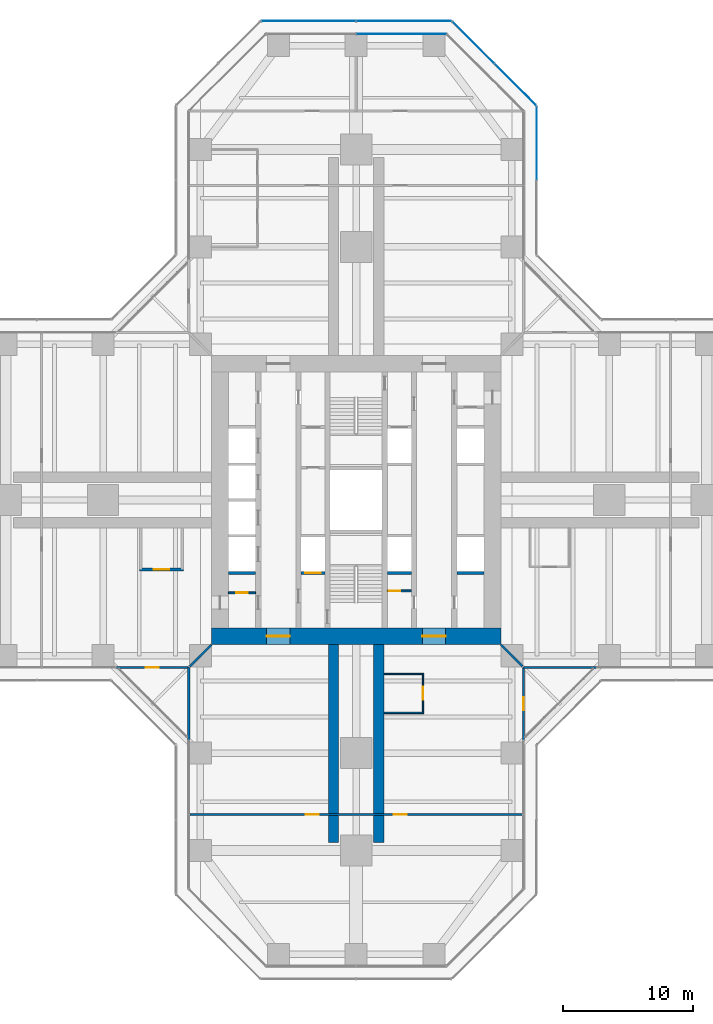
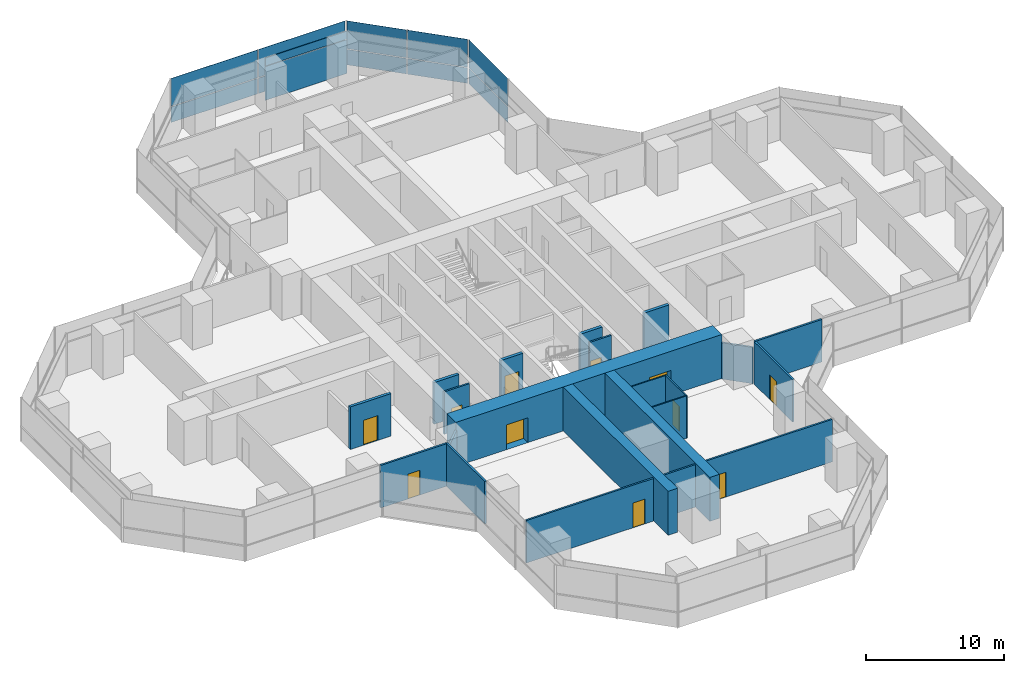
# One storey, part 17 of 22: 20 walls, 12 plates, 11 doors, 11 openings, 4 elements without a shape of their own.
"""IFC4 building model written with IfcOpenShell, lengths in metres."""

import ifcopenshell
import ifcopenshell.guid

model = None  # the IFC model being written
_history = None  # IfcOwnerHistory: only IFC2X3 demands one
_inside = {}  # id of a spatial element -> (the spatial element, [elements in it])
_under = {}  # id of a project, library or spatial element -> (it, [spatial elements below it])
_declared = {}  # id of a project -> (the project, [libraries it declares])
_typed = {}  # id of a type object -> (the type object, [elements of that type])
_made_of = {}  # id of a material, layer set ... -> (it, [elements and type objects made of it])


def new_model(schema):
    """Start an empty IFC model of exactly this schema.

    Asked for "IFC4X3", IfcOpenShell would pick the latest addendum, in which some entities
    have other attributes; the version numbers below select the first issue.
    IFC2X3 requires an IfcOwnerHistory on every rooted entity: one is made here for all.
    """
    global model, _history
    if schema == "IFC4X3":
        model = ifcopenshell.file(schema_version=(4, 3, 0, 0))
    else:
        model = ifcopenshell.file(schema=schema)
    _inside.clear()
    _under.clear()
    _declared.clear()
    _typed.clear()
    _made_of.clear()
    _history = None
    if model.schema == "IFC2X3":
        org = make("IfcOrganization", Name="unknown")
        user = make(
            "IfcPersonAndOrganization",
            ThePerson=make("IfcPerson", FamilyName="unknown"),
            TheOrganization=org,
        )
        app = make(
            "IfcApplication",
            ApplicationDeveloper=org,
            Version="unknown",
            ApplicationFullName="unknown",
            ApplicationIdentifier="unknown",
        )
        _history = make(
            "IfcOwnerHistory",
            OwningUser=user,
            OwningApplication=app,
            ChangeAction="ADDED",
            CreationDate=0,
        )
    return model


def make(cls, **values):
    """One entity of the class cls with the attributes given. An attribute that is None is left unset."""
    return model.create_entity(
        cls, **{name: value for name, value in values.items() if value is not None}
    )


def rooted(cls, **values):
    """An entity with a GlobalId (a new one), such as an element, a storey or a relation."""
    return make(cls, GlobalId=ifcopenshell.guid.new(), OwnerHistory=_history, **values)


def si_unit(unit_type, name, prefix=None):
    """IfcSIUnit, for example si_unit("LENGTHUNIT", "METRE", prefix="MILLI")."""
    return make("IfcSIUnit", UnitType=unit_type, Prefix=prefix, Name=name)


def assignment(units):
    """IfcUnitAssignment: the units of a project."""
    return None if units is None else make("IfcUnitAssignment", Units=units)


def point(xyz):
    """IfcCartesianPoint."""
    return None if xyz is None else make("IfcCartesianPoint", Coordinates=xyz)


def direction(xyz):
    """IfcDirection."""
    return None if xyz is None else make("IfcDirection", DirectionRatios=xyz)


def frame(location, z_axis=None, x_axis=None):
    """IfcAxis2Placement3D, a coordinate frame: its origin and axes. An axis left out is left unset."""
    return make(
        "IfcAxis2Placement3D",
        Location=point(location),
        Axis=direction(z_axis),
        RefDirection=direction(x_axis),
    )


def frame_2d(location, x_axis=None):
    """IfcAxis2Placement2D, a coordinate frame in the plane: its origin and x axis."""
    return make(
        "IfcAxis2Placement2D", Location=point(location), RefDirection=direction(x_axis)
    )


def origin():
    """The frame at (0, 0, 0) with its axes left unset."""
    return frame((0.0, 0.0, 0.0))


def origin_2d():
    """The frame at (0, 0) in the plane with its x axis left unset."""
    return frame_2d((0.0, 0.0))


def place(relative_to, where):
    """IfcLocalPlacement: puts the frame where relative to a parent placement (None: the world)."""
    return make(
        "IfcLocalPlacement", PlacementRelTo=relative_to, RelativePlacement=where
    )


def context(
    kind, dimensions, precision=None, world=None, true_north=None, identifier=None
):
    """IfcGeometricRepresentationContext, for example the 3D "Model" context."""
    return make(
        "IfcGeometricRepresentationContext",
        ContextIdentifier=identifier,
        ContextType=kind,
        CoordinateSpaceDimension=dimensions,
        Precision=precision,
        WorldCoordinateSystem=world,
        TrueNorth=true_north,
    )


def subcontext(parent, identifier, kind, view, scale=None):
    """IfcGeometricRepresentationSubContext, for example "Body" below "Model"."""
    return make(
        "IfcGeometricRepresentationSubContext",
        ContextIdentifier=identifier,
        ContextType=kind,
        ParentContext=parent,
        TargetScale=scale,
        TargetView=view,
    )


def project(units=None, contexts=None):
    """IfcProject with its units and contexts."""
    return rooted(
        "IfcProject",
        Name="project",
        RepresentationContexts=contexts,
        UnitsInContext=assignment(units),
    )


def spatial(cls, under=None, at=None, **own):
    """A site, building, storey or space (cls), placed at a placement, below another one or the project."""
    s = rooted(cls, ObjectPlacement=at, **own)
    if under is not None:
        _under.setdefault(under.id(), (under, []))[1].append(s)
    return s


def profile(cls, at=None, kind="AREA", **sizes):
    """A parametric profile (cls). Its sizes go by their IFC names, for example OverallWidth=200.0."""
    return make(cls, ProfileType=kind, Position=at, **sizes)


def rectangle(**sizes):
    """IfcRectangleProfileDef."""
    return profile("IfcRectangleProfileDef", **sizes)


def extrude(swept, where, along, depth):
    """IfcExtrudedAreaSolid: the profile swept, set in the frame where, extruded along a direction by depth."""
    return make(
        "IfcExtrudedAreaSolid",
        SweptArea=swept,
        Position=where,
        ExtrudedDirection=direction(along),
        Depth=depth,
    )


def shape(context_of_items, identifier, shape_type, items):
    """IfcShapeRepresentation: the items that make up one representation, for example the "Body"."""
    return make(
        "IfcShapeRepresentation",
        ContextOfItems=context_of_items,
        RepresentationIdentifier=identifier,
        RepresentationType=shape_type,
        Items=items,
    )


def material(Name=None, Category=None):
    """IfcMaterial."""
    return make("IfcMaterial", Name=Name, Category=Category)


def layer(
    of_material, thickness, ventilated=None, Name=None, Category=None, Priority=None
):
    """IfcMaterialLayer: one layer of a wall or slab, of a material (None: an air gap)."""
    return make(
        "IfcMaterialLayer",
        Material=of_material,
        LayerThickness=thickness,
        IsVentilated=ventilated,
        Name=Name,
        Category=Category,
        Priority=Priority,
    )


def layer_set(layers, Name=None):
    """IfcMaterialLayerSet."""
    return make("IfcMaterialLayerSet", MaterialLayers=layers, LayerSetName=Name)


def made_of(thing, what):
    """Note that an element or type object is made of a material, layer set ...; save() writes the relation."""
    if what is not None:
        _made_of.setdefault(what.id(), (what, []))[1].append(thing)
    return thing


def type_object(cls, material=None, **own):
    """A type object (cls), such as IfcWallType, which elements share."""
    return made_of(rooted(cls, **own), material)


def element(
    cls,
    number,
    at=None,
    inside=None,
    cuts=None,
    type_object=None,
    material=None,
    context=None,
    identifier="Body",
    shape_type=None,
    held_by="IfcProductDefinitionShape",
    body=None,
    shapes=None,
    **own,
):
    """One element of the class cls, such as IfcWall. Its Tag is "e" and its number.

    at: its placement. inside: the storey or other place that contains it. cuts: it is an
    opening in that element (IfcRelVoidsElement). A single representation is given by context,
    identifier, shape_type and body (its items); several are given by shapes. held_by: the class
    of the entity that holds the representations. save() writes the other relations.
    """
    e = rooted(cls, Tag="e%d" % number, ObjectPlacement=at, **own)
    if body is not None:
        shapes = [shape(context, identifier, shape_type, body)]
    if shapes is not None:
        e.Representation = make(held_by, Representations=shapes)
    if inside is not None:
        _inside.setdefault(inside.id(), (inside, []))[1].append(e)
    if cuts is not None:
        rooted(
            "IfcRelVoidsElement", RelatingBuildingElement=cuts, RelatedOpeningElement=e
        )
    if type_object is not None:
        _typed.setdefault(type_object.id(), (type_object, []))[1].append(e)
    return made_of(e, material)


def fill(opening, filler):
    """IfcRelFillsElement: the door or window that sits in an opening."""
    return rooted(
        "IfcRelFillsElement",
        RelatingOpeningElement=opening,
        RelatedBuildingElement=filler,
    )


def aggregate(whole, parts):
    """IfcRelAggregates: a whole, such as a stair, and the parts it consists of."""
    return rooted("IfcRelAggregates", RelatingObject=whole, RelatedObjects=parts)


def save(model, path):
    """Write the relations noted so far, then the file.

    IfcRelAggregates (storeys below a building ...), IfcRelContainedInSpatialStructure (elements
    in a storey), IfcRelDefinesByType, IfcRelAssociatesMaterial and IfcRelDeclares: one each for
    every whole, place, type object, material and project.
    """
    for whole, parts in _under.values():
        aggregate(whole, parts)
    for where, things in _inside.values():
        rooted(
            "IfcRelContainedInSpatialStructure",
            RelatedElements=things,
            RelatingStructure=where,
        )
    for kind, things in _typed.values():
        rooted("IfcRelDefinesByType", RelatedObjects=things, RelatingType=kind)
    for what, things in _made_of.values():
        rooted("IfcRelAssociatesMaterial", RelatedObjects=things, RelatingMaterial=what)
    for by, libraries in _declared.values():
        rooted("IfcRelDeclares", RelatingContext=by, RelatedDefinitions=libraries)
    model.write(path)


model = new_model("IFC4")

# Units and contexts
model_context = context("Model", 3, precision=1e-05, world=origin(), true_north=direction((0.0, 1.0)))
body_context = subcontext(model_context, "Body", "Model", "MODEL_VIEW")
ifc_project = project(units=[si_unit("LENGTHUNIT", "METRE"), si_unit("AREAUNIT", "SQUARE_METRE"), si_unit("VOLUMEUNIT", "CUBIC_METRE"), si_unit("PLANEANGLEUNIT", "RADIAN"), si_unit("MASSUNIT", "GRAM", prefix="KILO")], contexts=[model_context])

# Site, building, storey
site_placement = place(None, origin())
site = spatial("IfcSite", under=ifc_project, at=site_placement, CompositionType="ELEMENT")
building_placement = place(site_placement, origin())
building = spatial("IfcBuilding", under=site, at=building_placement, Name="Mizan Broadcast Tower", CompositionType="ELEMENT")
storey_placement = place(building_placement, frame((0.0, 0.0, 102.0)))
storey = spatial("IfcBuildingStorey", under=building, at=storey_placement, Name="L22", CompositionType="ELEMENT", Elevation=102.0)

# Curtain wall, plates
ifc_material_1 = material(Name="Aluminium framed glazing", Category="aluminium")
curtain_wall_type_1 = type_object("IfcCurtainWallType", Name="INNER SKIN LOW ZONE", PredefinedType="USERDEFINED", material=ifc_material_1)
curtain_wall_1_placement = place(storey_placement, origin())
curtain_wall_1 = element("IfcCurtainWall", 1, at=curtain_wall_1_placement, inside=storey, type_object=curtain_wall_type_1, Name="Inner skin low zone L22 N end", ObjectType="INNER SKIN LOW ZONE", PredefinedType="USERDEFINED")
ifc_material_2 = material(Name="Double glazing, clear low-e", Category="glass")
ifc_layer_1 = layer(ifc_material_2, 0.028076171875)
ifc_layer_set_1 = layer_set([ifc_layer_1], Name="Double glazing, clear low-e")
plate_type_1 = type_object("IfcPlateType", Name="INNER SKIN GLAZING UNIT", PredefinedType="CURTAIN_PANEL", material=ifc_layer_set_1)
plate_1_placement = place(storey_placement, frame((3.46435546875, 35.89990234375, 0.0), z_axis=(0.0, 0.0, 1.0), x_axis=(-1.0, 0.0, 0.0)))
plate_1 = element("IfcPlate", 2, at=plate_1_placement, type_object=plate_type_1, Name="Inner skin low zone L22 N end panel 1.1", PredefinedType="CURTAIN_PANEL", context=body_context, shape_type="SweptSolid", body=[
    extrude(rectangle(XDim=6.86865234375, YDim=0.028076171875, at=origin_2d()), origin(), (0.0, 0.0, 1.0), 3.0),
])
ifc_material_3 = material(Name="Insulated aluminium spandrel panel, pale anodised", Category="aluminium")
ifc_layer_2 = layer(ifc_material_3, 0.050048828125)
ifc_layer_set_2 = layer_set([ifc_layer_2], Name="Insulated aluminium spandrel panel, pale anodised")
plate_type_2 = type_object("IfcPlateType", Name="INNER SKIN SPANDREL PANEL", PredefinedType="CURTAIN_PANEL", material=ifc_layer_set_2)
plate_2_placement = place(storey_placement, frame((3.46435546875, 35.89990234375, 3.06005859375), z_axis=(0.0, 0.0, 1.0), x_axis=(-1.0, 0.0, 0.0)))
plate_2 = element("IfcPlate", 3, at=plate_2_placement, type_object=plate_type_2, Name="Inner skin low zone L22 N end panel 1.2", PredefinedType="CURTAIN_PANEL", context=body_context, shape_type="SweptSolid", body=[
    extrude(rectangle(XDim=6.86865234375, YDim=0.050048828125, at=origin_2d()), origin(), (0.0, 0.0, 1.0), 0.7099609375),
])
aggregate(curtain_wall_1, [plate_1, plate_2])

ifc_material_4 = material(Name="Aluminium framed glazing", Category="aluminium")
curtain_wall_type_2 = type_object("IfcCurtainWallType", Name="OUTER SKIN", PredefinedType="USERDEFINED", material=ifc_material_4)
curtain_wall_2_placement = place(storey_placement, origin())
curtain_wall_2 = element("IfcCurtainWall", 4, at=curtain_wall_2_placement, inside=storey, type_object=curtain_wall_type_2, Name="Outer skin L22 N chamfer", ObjectType="OUTER SKIN", PredefinedType="USERDEFINED")
ifc_material_5 = material(Name="Laminated clear glass", Category="glass")
ifc_layer_3 = layer(ifc_material_5, 0.02001953125)
ifc_layer_set_3 = layer_set([ifc_layer_3], Name="Laminated clear glass")
plate_type_3 = type_object("IfcPlateType", Name="OUTER SKIN CLEAR GLASS", PredefinedType="CURTAIN_PANEL", material=ifc_layer_set_3)
plate_3_placement = place(storey_placement, frame((12.254150390625, 32.018798828125, 0.0), z_axis=(0.0, 0.0, 1.0), x_axis=(-0.707106781187, 0.707106781187, 0.0)))
plate_3 = element("IfcPlate", 5, at=plate_3_placement, type_object=plate_type_3, Name="Outer skin L22 N chamfer panel 1.1", PredefinedType="CURTAIN_PANEL", context=body_context, shape_type="SweptSolid", body=[
    extrude(rectangle(XDim=4.495361328125, YDim=0.02001953125, at=origin_2d()), origin(), (0.0, 0.0, 1.0), 1.3701171875),
])
plate_4_placement = place(storey_placement, frame((12.254150390625, 32.018798828125, 1.43017578125), z_axis=(0.0, 0.0, 1.0), x_axis=(-0.707106781187, 0.707106781187, 0.0)))
plate_4 = element("IfcPlate", 6, at=plate_4_placement, type_object=plate_type_3, Name="Outer skin L22 N chamfer panel 1.2", PredefinedType="CURTAIN_PANEL", context=body_context, shape_type="SweptSolid", body=[
    extrude(rectangle(XDim=4.495361328125, YDim=0.02001953125, at=origin_2d()), origin(), (0.0, 0.0, 1.0), 2.469970703125),
])

curtain_wall_3_placement = place(storey_placement, origin())
curtain_wall_3 = element("IfcCurtainWall", 7, at=curtain_wall_3_placement, inside=storey, type_object=curtain_wall_type_2, Name="Outer skin L22 N end", ObjectType="OUTER SKIN", PredefinedType="USERDEFINED")
plate_5_placement = place(storey_placement, frame((3.66650390625, 36.89990234375, 0.0), z_axis=(0.0, 0.0, 1.0), x_axis=(-1.0, 0.0, 0.0)))
plate_5 = element("IfcPlate", 8, at=plate_5_placement, type_object=plate_type_3, Name="Outer skin L22 N end panel 1.1", PredefinedType="CURTAIN_PANEL", context=body_context, shape_type="SweptSolid", body=[
    extrude(rectangle(XDim=7.252685546875, YDim=0.02001953125, at=origin_2d()), origin(), (0.0, 0.0, 1.0), 1.3701171875),
])
plate_6_placement = place(storey_placement, frame((3.66650390625, 36.89990234375, 1.43017578125), z_axis=(0.0, 0.0, 1.0), x_axis=(-1.0, 0.0, 0.0)))
plate_6 = element("IfcPlate", 9, at=plate_6_placement, type_object=plate_type_3, Name="Outer skin L22 N end panel 1.2", PredefinedType="CURTAIN_PANEL", context=body_context, shape_type="SweptSolid", body=[
    extrude(rectangle(XDim=7.252685546875, YDim=0.02001953125, at=origin_2d()), origin(), (0.0, 0.0, 1.0), 2.469970703125),
])
plate_7_placement = place(storey_placement, frame((-3.66650390625, 36.89990234375, 0.0), z_axis=(0.0, 0.0, 1.0), x_axis=(-1.0, 0.0, 0.0)))
plate_7 = element("IfcPlate", 10, at=plate_7_placement, type_object=plate_type_3, Name="Outer skin L22 N end panel 2.1", PredefinedType="CURTAIN_PANEL", context=body_context, shape_type="SweptSolid", body=[
    extrude(rectangle(XDim=7.252685546875, YDim=0.02001953125, at=origin_2d()), origin(), (0.0, 0.0, 1.0), 1.3701171875),
])
plate_8_placement = place(storey_placement, frame((-3.66650390625, 36.89990234375, 1.43017578125), z_axis=(0.0, 0.0, 1.0), x_axis=(-1.0, 0.0, 0.0)))
plate_8 = element("IfcPlate", 11, at=plate_8_placement, type_object=plate_type_3, Name="Outer skin L22 N end panel 2.2", PredefinedType="CURTAIN_PANEL", context=body_context, shape_type="SweptSolid", body=[
    extrude(rectangle(XDim=7.252685546875, YDim=0.02001953125, at=origin_2d()), origin(), (0.0, 0.0, 1.0), 2.469970703125),
])
aggregate(curtain_wall_3, [plate_5, plate_6, plate_7, plate_8])

curtain_wall_4_placement = place(storey_placement, origin())
curtain_wall_4 = element("IfcCurtainWall", 12, at=curtain_wall_4_placement, inside=storey, type_object=curtain_wall_type_2, Name="Outer skin L22 N side", ObjectType="OUTER SKIN", PredefinedType="USERDEFINED")
ifc_material_6 = material(Name="Perforated aluminium, pale anodised", Category="aluminium")
ifc_layer_4 = layer(ifc_material_6, 0.011962890625)
ifc_layer_set_4 = layer_set([ifc_layer_4], Name="Perforated aluminium, pale anodised")
plate_type_4 = type_object("IfcPlateType", Name="OUTER SKIN PERFORATED SCREEN", PredefinedType="USERDEFINED", material=ifc_layer_set_4)
plate_9_placement = place(storey_placement, frame((13.89990234375, 27.477783203125, 0.0), z_axis=(0.0, 0.0, 1.0), x_axis=(0.0, 1.0, 0.0)))
plate_9 = element("IfcPlate", 13, at=plate_9_placement, type_object=plate_type_4, Name="Outer skin L22 N side panel 2.1", ObjectType="SCREEN", PredefinedType="USERDEFINED", context=body_context, shape_type="SweptSolid", body=[
    extrude(rectangle(XDim=5.6298828125, YDim=0.011962890625, at=origin_2d()), origin(), (0.0, 0.0, 1.0), 1.3701171875),
])
plate_10_placement = place(storey_placement, frame((13.89990234375, 27.477783203125, 1.43017578125), z_axis=(0.0, 0.0, 1.0), x_axis=(0.0, 1.0, 0.0)))
plate_10 = element("IfcPlate", 14, at=plate_10_placement, type_object=plate_type_4, Name="Outer skin L22 N side panel 2.2", ObjectType="SCREEN", PredefinedType="USERDEFINED", context=body_context, shape_type="SweptSolid", body=[
    extrude(rectangle(XDim=5.6298828125, YDim=0.011962890625, at=origin_2d()), origin(), (0.0, 0.0, 1.0), 2.469970703125),
])
aggregate(curtain_wall_4, [plate_9, plate_10])

# Plate
plate_11_placement = place(storey_placement, frame((9.018798828125, 35.254150390625, 0.0), z_axis=(0.0, 0.0, 1.0), x_axis=(-0.707106781187, 0.707106781187, 0.0)))
plate_11 = element("IfcPlate", 15, at=plate_11_placement, type_object=plate_type_4, Name="Outer skin L22 N chamfer panel 2.1", ObjectType="SCREEN", PredefinedType="USERDEFINED", context=body_context, shape_type="SweptSolid", body=[
    extrude(rectangle(XDim=4.495361328125, YDim=0.011962890625, at=origin_2d()), origin(), (0.0, 0.0, 1.0), 1.3701171875),
])

plate_12_placement = place(storey_placement, frame((9.018798828125, 35.254150390625, 1.43017578125), z_axis=(0.0, 0.0, 1.0), x_axis=(-0.707106781187, 0.707106781187, 0.0)))
plate_12 = element("IfcPlate", 16, at=plate_12_placement, type_object=plate_type_4, Name="Outer skin L22 N chamfer panel 2.2", ObjectType="SCREEN", PredefinedType="USERDEFINED", context=body_context, shape_type="SweptSolid", body=[
    extrude(rectangle(XDim=4.495361328125, YDim=0.011962890625, at=origin_2d()), origin(), (0.0, 0.0, 1.0), 2.469970703125),
])

aggregate(curtain_wall_2, [plate_3, plate_4, plate_11, plate_12])

# Wall, opening, door
ifc_material_7 = material(Name="Concrete blockwork", Category="masonry")
ifc_layer_5 = layer(ifc_material_7, 0.14990234375)
ifc_layer_set_5 = layer_set([ifc_layer_5], Name="Concrete blockwork")
wall_type_1 = type_object("IfcWallType", Name="CORE PARTITION 150", PredefinedType="SOLIDWALL", material=ifc_layer_set_5)
wall_1_placement = place(storey_placement, frame((2.39990234375, -7.0, 0.0), z_axis=(0.0, 0.0, 1.0), x_axis=(1.0, 0.0, 0.0)))
wall_1 = element("IfcWall", 17, at=wall_1_placement, inside=storey, type_object=wall_type_1, Name="Core partition CORE/XPC", PredefinedType="SOLIDWALL", context=body_context, shape_type="SweptSolid", body=[
    extrude(rectangle(XDim=1.85009765625, YDim=0.14990234375, at=frame_2d((0.925048828125, 0.0))), origin(), (0.0, 0.0, 1.0), 3.77001953125),
])
opening_1_placement = place(wall_1_placement, frame((0.10009765625, 0.0, 0.0)))
opening_1 = element("IfcOpeningElement", 18, at=opening_1_placement, cuts=wall_1, Name="Opening D09F", PredefinedType="OPENING", context=body_context, shape_type="SweptSolid", body=[
    extrude(rectangle(XDim=0.89990234375, YDim=2.10009765625, at=frame_2d((0.449951171875, 1.050048828125))), frame((0.0, 0.0849609375, 0.0), z_axis=(0.0, -1.0, 0.0), x_axis=(1.0, 0.0, 0.0)), (0.0, 0.0, 1.0), 0.169921875),
])
ifc_material_8 = material(Name="Steel door leaf in steel frame", Category="steel")
door_type_1 = type_object("IfcDoorType", Name="CORE ROOM DOOR 900 FD90", OperationType="SINGLE_SWING_LEFT", PredefinedType="DOOR", material=ifc_material_8)
door_1_placement = place(opening_1_placement, origin())
door_1 = element("IfcDoor", 19, at=door_1_placement, inside=storey, type_object=door_type_1, Name="Cleaning materials store door", OperationType="SINGLE_SWING_LEFT", OverallHeight=2.10009765625, OverallWidth=0.89990234375, PredefinedType="DOOR", context=body_context, shape_type="SweptSolid", body=[
    extrude(rectangle(XDim=0.89990234375, YDim=2.10009765625, at=frame_2d((0.449951171875, 1.050048828125))), frame((0.0, 0.02490234375, 0.0), z_axis=(0.0, -1.0, 0.0), x_axis=(1.0, 0.0, 0.0)), (0.0, 0.0, 1.0), 0.050048828125),
])
fill(opening_1, door_1)

wall_2_placement = place(storey_placement, frame((-9.85009765625, -7.14990234375, 0.0), z_axis=(0.0, 0.0, 1.0), x_axis=(1.0, 0.0, 0.0)))
wall_2 = element("IfcWall", 20, at=wall_2_placement, inside=storey, type_object=wall_type_1, Name="Core partition CORE/XPW", PredefinedType="SOLIDWALL", context=body_context, shape_type="SweptSolid", body=[
    extrude(rectangle(XDim=2.10009765625, YDim=0.14990234375, at=frame_2d((1.050048828125, 0.0))), origin(), (0.0, 0.0, 1.0), 3.77001953125),
])
opening_2_placement = place(wall_2_placement, frame((0.60009765625, 0.0, 0.0)))
opening_2 = element("IfcOpeningElement", 21, at=opening_2_placement, cuts=wall_2, Name="Opening D09F", PredefinedType="OPENING", context=body_context, shape_type="SweptSolid", body=[
    extrude(rectangle(XDim=0.89990234375, YDim=2.10009765625, at=frame_2d((0.449951171875, 1.050048828125))), frame((0.0, 0.0849609375, 0.0), z_axis=(0.0, -1.0, 0.0), x_axis=(1.0, 0.0, 0.0)), (0.0, 0.0, 1.0), 0.169921875),
])
door_2_placement = place(opening_2_placement, origin())
door_2 = element("IfcDoor", 22, at=door_2_placement, inside=storey, type_object=door_type_1, Name="Fire hose reel cupboard door", OperationType="SINGLE_SWING_RIGHT", OverallHeight=2.10009765625, OverallWidth=0.89990234375, PredefinedType="DOOR", context=body_context, shape_type="SweptSolid", body=[
    extrude(rectangle(XDim=0.89990234375, YDim=2.10009765625, at=frame_2d((0.449951171875, 1.050048828125))), frame((0.0, 0.02490234375, 0.0), z_axis=(0.0, -1.0, 0.0), x_axis=(1.0, 0.0, 0.0)), (0.0, 0.0, 1.0), 0.050048828125),
])
fill(opening_2, door_2)

# Wall, openings, doors
ifc_material_9 = material(Name="Concrete C70/85", Category="concrete")
ifc_layer_6 = layer(ifc_material_9, 1.300048828125)
ifc_layer_set_6 = layer_set([ifc_layer_6], Name="Concrete C70/85")
wall_type_2 = type_object("IfcWallType", Name="CORE WALL 1300", PredefinedType="SHEAR", material=ifc_layer_set_6)
wall_3_placement = place(storey_placement, frame((11.14990234375, -10.5, 0.0), z_axis=(0.0, 0.0, 1.0), x_axis=(-1.0, 0.0, 0.0)))
wall_3 = element("IfcWall", 23, at=wall_3_placement, inside=storey, type_object=wall_type_2, Name="Core wall S L22", PredefinedType="SHEAR", context=body_context, shape_type="SweptSolid", body=[
    extrude(rectangle(XDim=22.2998046875, YDim=1.300048828125, at=frame_2d((11.14990234375, 0.0))), origin(), (0.0, 0.0, 1.0), 3.89990234375),
])
opening_3_placement = place(wall_3_placement, frame((16.25, 0.0, 0.0)))
opening_3 = element("IfcOpeningElement", 24, at=opening_3_placement, cuts=wall_3, Name="Opening D18F", PredefinedType="OPENING", context=body_context, shape_type="SweptSolid", body=[
    extrude(rectangle(XDim=1.800048828125, YDim=2.199951171875, at=frame_2d((0.89990234375, 1.10009765625))), frame((0.0, 0.659912109375, 0.0), z_axis=(0.0, -1.0, 0.0), x_axis=(1.0, 0.0, 0.0)), (0.0, 0.0, 1.0), 1.320068359375),
])
opening_4_placement = place(wall_3_placement, frame((4.25, 0.0, 0.0)))
opening_4 = element("IfcOpeningElement", 25, at=opening_4_placement, cuts=wall_3, Name="Opening D18F", PredefinedType="OPENING", context=body_context, shape_type="SweptSolid", body=[
    extrude(rectangle(XDim=1.800048828125, YDim=2.199951171875, at=frame_2d((0.89990234375, 1.10009765625))), frame((0.0, 0.659912109375, 0.0), z_axis=(0.0, -1.0, 0.0), x_axis=(1.0, 0.0, 0.0)), (0.0, 0.0, 1.0), 1.320068359375),
])
ifc_material_10 = material(Name="Steel door leaf in steel frame", Category="steel")
door_type_2 = type_object("IfcDoorType", Name="LOBBY DOUBLE DOOR 1800 FD90", OperationType="DOUBLE_DOOR_DOUBLE_SWING", PredefinedType="DOOR", material=ifc_material_10)
door_3_placement = place(opening_3_placement, origin())
door_3 = element("IfcDoor", 26, at=door_3_placement, inside=storey, type_object=door_type_2, Name="West lift lobby south door", OperationType="DOUBLE_DOOR_DOUBLE_SWING", OverallHeight=2.199951171875, OverallWidth=1.800048828125, PredefinedType="DOOR", context=body_context, shape_type="SweptSolid", body=[
    extrude(rectangle(XDim=1.800048828125, YDim=2.199951171875, at=frame_2d((0.89990234375, 1.10009765625))), frame((0.0, 0.02490234375, 0.0), z_axis=(0.0, -1.0, 0.0), x_axis=(1.0, 0.0, 0.0)), (0.0, 0.0, 1.0), 0.050048828125),
])
fill(opening_3, door_3)
door_4_placement = place(opening_4_placement, origin())
door_4 = element("IfcDoor", 27, at=door_4_placement, inside=storey, type_object=door_type_2, Name="East lift lobby south door", OperationType="DOUBLE_DOOR_DOUBLE_SWING", OverallHeight=2.199951171875, OverallWidth=1.800048828125, PredefinedType="DOOR", context=body_context, shape_type="SweptSolid", body=[
    extrude(rectangle(XDim=1.800048828125, YDim=2.199951171875, at=frame_2d((0.89990234375, 1.10009765625))), frame((0.0, 0.02490234375, 0.0), z_axis=(0.0, -1.0, 0.0), x_axis=(1.0, 0.0, 0.0)), (0.0, 0.0, 1.0), 0.050048828125),
])
fill(opening_4, door_4)

# Wall
ifc_material_11 = material(Name="Aluminium framed glazed screen", Category="aluminium")
ifc_layer_7 = layer(ifc_material_11, 0.159912109375)
ifc_layer_set_7 = layer_set([ifc_layer_7], Name="Aluminium framed glazed screen")
wall_type_3 = type_object("IfcWallType", Name="GLAZED SCREEN WALL 160", PredefinedType="SOLIDWALL", material=ifc_layer_set_7)
wall_4_placement = place(storey_placement, frame((12.89990234375, -12.89990234375, 0.0), z_axis=(0.0, 0.0, 1.0), x_axis=(1.0, 0.0, 0.0)))
element("IfcWall", 28, at=wall_4_placement, inside=storey, type_object=wall_type_3, Name="Winter garden screen L22 E", PredefinedType="SOLIDWALL", context=body_context, shape_type="SweptSolid", body=[
    extrude(rectangle(XDim=5.60009765625, YDim=0.159912109375, at=frame_2d((2.800048828125, 0.0))), origin(), (0.0, 0.0, 1.0), 3.77001953125),
])

# Wall, opening, door
wall_5_placement = place(storey_placement, frame((-18.5, -12.89990234375, 0.0), z_axis=(0.0, 0.0, 1.0), x_axis=(1.0, 0.0, 0.0)))
wall_5 = element("IfcWall", 29, at=wall_5_placement, inside=storey, type_object=wall_type_3, Name="Winter garden screen L22 W", PredefinedType="SOLIDWALL", context=body_context, shape_type="SweptSolid", body=[
    extrude(rectangle(XDim=5.60009765625, YDim=0.159912109375, at=frame_2d((2.800048828125, 0.0))), origin(), (0.0, 0.0, 1.0), 3.77001953125),
])
opening_5_placement = place(wall_5_placement, frame((2.300048828125, 0.0, 0.0)))
opening_5 = element("IfcOpeningElement", 30, at=opening_5_placement, cuts=wall_5, Name="Opening WGD", PredefinedType="OPENING", context=body_context, shape_type="SweptSolid", body=[
    extrude(rectangle(XDim=1.0, YDim=2.199951171875, at=frame_2d((0.5, 1.10009765625))), frame((0.0, 0.08984375, 0.0), z_axis=(0.0, -1.0, 0.0), x_axis=(1.0, 0.0, 0.0)), (0.0, 0.0, 1.0), 0.179931640625),
])
ifc_material_12 = material(Name="Aluminium framed glazed door", Category="aluminium")
door_type_3 = type_object("IfcDoorType", Name="WINTER GARDEN DOOR 1000 GLAZED", OperationType="SINGLE_SWING_LEFT", PredefinedType="DOOR", material=ifc_material_12)
door_5_placement = place(opening_5_placement, origin())
door_5 = element("IfcDoor", 31, at=door_5_placement, inside=storey, type_object=door_type_3, Name="Winter garden door L22 W", OperationType="SINGLE_SWING_RIGHT", OverallHeight=2.199951171875, OverallWidth=1.0, PredefinedType="DOOR", context=body_context, shape_type="SweptSolid", body=[
    extrude(rectangle(XDim=1.0, YDim=2.199951171875, at=frame_2d((0.5, 1.10009765625))), frame((0.0, 0.02490234375, 0.0), z_axis=(0.0, -1.0, 0.0), x_axis=(1.0, 0.0, 0.0)), (0.0, 0.0, 1.0), 0.050048828125),
])
fill(opening_5, door_5)

# Wall
wall_6_placement = place(storey_placement, frame((-12.89990234375, -12.89990234375, 0.0), z_axis=(0.0, 0.0, 1.0), x_axis=(0.0, -1.0, 0.0)))
element("IfcWall", 32, at=wall_6_placement, inside=storey, type_object=wall_type_3, Name="Winter garden screen L22 S", PredefinedType="SOLIDWALL", context=body_context, shape_type="SweptSolid", body=[
    extrude(rectangle(XDim=5.60009765625, YDim=0.159912109375, at=frame_2d((2.800048828125, 0.0))), origin(), (0.0, 0.0, 1.0), 3.77001953125),
])

# Wall, opening, door
wall_7_placement = place(storey_placement, frame((12.89990234375, -18.5, 0.0), z_axis=(0.0, 0.0, 1.0), x_axis=(0.0, 1.0, 0.0)))
wall_7 = element("IfcWall", 33, at=wall_7_placement, inside=storey, type_object=wall_type_3, Name="Winter garden screen L22 S", PredefinedType="SOLIDWALL", context=body_context, shape_type="SweptSolid", body=[
    extrude(rectangle(XDim=5.60009765625, YDim=0.159912109375, at=frame_2d((2.800048828125, 0.0))), origin(), (0.0, 0.0, 1.0), 3.77001953125),
])
opening_6_placement = place(wall_7_placement, frame((2.300048828125, 0.0, 0.0)))
opening_6 = element("IfcOpeningElement", 34, at=opening_6_placement, cuts=wall_7, Name="Opening WGD", PredefinedType="OPENING", context=body_context, shape_type="SweptSolid", body=[
    extrude(rectangle(XDim=1.0, YDim=2.199951171875, at=frame_2d((0.5, 1.10009765625))), frame((0.0, 0.08984375, 0.0), z_axis=(0.0, -1.0, 0.0), x_axis=(1.0, 0.0, 0.0)), (0.0, 0.0, 1.0), 0.179931640625),
])
door_6_placement = place(opening_6_placement, origin())
door_6 = element("IfcDoor", 35, at=door_6_placement, inside=storey, type_object=door_type_3, Name="Winter garden door L22 S", OperationType="SINGLE_SWING_RIGHT", OverallHeight=2.199951171875, OverallWidth=1.0, PredefinedType="DOOR", context=body_context, shape_type="SweptSolid", body=[
    extrude(rectangle(XDim=1.0, YDim=2.199951171875, at=frame_2d((0.5, 1.10009765625))), frame((0.0, 0.02490234375, 0.0), z_axis=(0.0, -1.0, 0.0), x_axis=(1.0, 0.0, 0.0)), (0.0, 0.0, 1.0), 0.050048828125),
])
fill(opening_6, door_6)

# Wall
ifc_material_13 = material(Name="Concrete blockwork", Category="masonry")
ifc_layer_8 = layer(ifc_material_13, 0.25)
ifc_layer_set_8 = layer_set([ifc_layer_8], Name="Concrete blockwork")
wall_type_4 = type_object("IfcWallType", Name="LOBBY ENCLOSURE WALL 250", PredefinedType="SOLIDWALL", material=ifc_layer_set_8)
wall_8_placement = place(storey_placement, frame((-9.85009765625, -5.625, 0.0), z_axis=(0.0, 0.0, 1.0), x_axis=(1.0, 0.0, 0.0)))
element("IfcWall", 36, at=wall_8_placement, inside=storey, type_object=wall_type_4, Name="Lobby enclosure wall CORE/BW1S", PredefinedType="SOLIDWALL", context=body_context, shape_type="SweptSolid", body=[
    extrude(rectangle(XDim=2.10009765625, YDim=0.25, at=frame_2d((1.050048828125, 0.0))), origin(), (0.0, 0.0, 1.0), 3.699951171875),
])

# Wall, opening, door
wall_9_placement = place(storey_placement, frame((-4.25, -5.625, 0.0), z_axis=(0.0, 0.0, 1.0), x_axis=(1.0, 0.0, 0.0)))
wall_9 = element("IfcWall", 37, at=wall_9_placement, inside=storey, type_object=wall_type_4, Name="Lobby enclosure wall CORE/BW2S", PredefinedType="SOLIDWALL", context=body_context, shape_type="SweptSolid", body=[
    extrude(rectangle(XDim=1.85009765625, YDim=0.25, at=frame_2d((0.925048828125, 0.0))), origin(), (0.0, 0.0, 1.0), 3.699951171875),
])
opening_7_placement = place(wall_9_placement, frame((0.324951171875, 0.0, 0.0)))
opening_7 = element("IfcOpeningElement", 38, at=opening_7_placement, cuts=wall_9, Name="Opening LDF", PredefinedType="OPENING", context=body_context, shape_type="SweptSolid", body=[
    extrude(rectangle(XDim=1.199951171875, YDim=2.199951171875, at=frame_2d((0.60009765625, 1.10009765625))), frame((0.0, 0.135009765625, 0.0), z_axis=(0.0, -1.0, 0.0), x_axis=(1.0, 0.0, 0.0)), (0.0, 0.0, 1.0), 0.27001953125),
])
ifc_material_14 = material(Name="Steel door leaf in steel frame", Category="steel")
door_type_4 = type_object("IfcDoorType", Name="FIREFIGHTING LIFT LANDING DOOR 1200", OperationType="SLIDING_TO_LEFT", PredefinedType="DOOR", material=ifc_material_14)
door_7_placement = place(opening_7_placement, origin())
door_7 = element("IfcDoor", 39, at=door_7_placement, inside=storey, type_object=door_type_4, Name="Landing door FF1", OperationType="SLIDING_TO_LEFT", OverallHeight=2.199951171875, OverallWidth=1.199951171875, PredefinedType="DOOR", context=body_context, shape_type="SweptSolid", body=[
    extrude(rectangle(XDim=1.199951171875, YDim=2.199951171875, at=frame_2d((0.60009765625, 1.10009765625))), frame((0.0, 0.02490234375, 0.0), z_axis=(0.0, -1.0, 0.0), x_axis=(1.0, 0.0, 0.0)), (0.0, 0.0, 1.0), 0.050048828125),
])
fill(opening_7, door_7)

# Walls
wall_10_placement = place(storey_placement, frame((2.39990234375, -5.625, 0.0), z_axis=(0.0, 0.0, 1.0), x_axis=(1.0, 0.0, 0.0)))
element("IfcWall", 40, at=wall_10_placement, inside=storey, type_object=wall_type_4, Name="Lobby enclosure wall CORE/BE2S", PredefinedType="SOLIDWALL", context=body_context, shape_type="SweptSolid", body=[
    extrude(rectangle(XDim=1.85009765625, YDim=0.25, at=frame_2d((0.925048828125, 0.0))), origin(), (0.0, 0.0, 1.0), 3.699951171875),
])
wall_11_placement = place(storey_placement, frame((7.75, -5.625, 0.0), z_axis=(0.0, 0.0, 1.0), x_axis=(1.0, 0.0, 0.0)))
element("IfcWall", 41, at=wall_11_placement, inside=storey, type_object=wall_type_4, Name="Lobby enclosure wall CORE/BE1S", PredefinedType="SOLIDWALL", context=body_context, shape_type="SweptSolid", body=[
    extrude(rectangle(XDim=2.10009765625, YDim=0.25, at=frame_2d((1.050048828125, 0.0))), origin(), (0.0, 0.0, 1.0), 3.699951171875),
])

# Wall, openings, doors
ifc_material_15 = material(Name="Gypsum board on steel studs", Category="steel")
ifc_layer_9 = layer(ifc_material_15, 0.14990234375)
ifc_layer_set_9 = layer_set([ifc_layer_9], Name="Gypsum board on steel studs")
wall_type_5 = type_object("IfcWallType", Name="PARTITION 150", PredefinedType="PARTITIONING", material=ifc_layer_set_9)
wall_12_placement = place(storey_placement, frame((-12.820068359375, -24.22900390625, 0.0), z_axis=(0.0, 0.0, 1.0), x_axis=(1.0, 0.0, 0.0)))
wall_12 = element("IfcWall", 42, at=wall_12_placement, inside=storey, type_object=wall_type_5, Name="Partition PT/SX1", PredefinedType="PARTITIONING", context=body_context, shape_type="SweptSolid", body=[
    extrude(rectangle(XDim=25.64013671875, YDim=0.14990234375, at=frame_2d((12.820068359375, 0.0))), origin(), (0.0, 0.0, 1.0), 3.77001953125),
])
opening_8_placement = place(wall_12_placement, frame((15.719970703125, 0.0, 0.0)))
opening_8 = element("IfcOpeningElement", 43, at=opening_8_placement, cuts=wall_12, Name="Opening D10", PredefinedType="OPENING", context=body_context, shape_type="SweptSolid", body=[
    extrude(rectangle(XDim=1.0, YDim=2.199951171875, at=frame_2d((0.5, 1.10009765625))), frame((0.0, 0.0849609375, 0.0), z_axis=(0.0, -1.0, 0.0), x_axis=(1.0, 0.0, 0.0)), (0.0, 0.0, 1.0), 0.169921875),
])
opening_9_placement = place(wall_12_placement, frame((8.919921875, 0.0, 0.0)))
opening_9 = element("IfcOpeningElement", 44, at=opening_9_placement, cuts=wall_12, Name="Opening D10", PredefinedType="OPENING", context=body_context, shape_type="SweptSolid", body=[
    extrude(rectangle(XDim=1.0, YDim=2.199951171875, at=frame_2d((0.5, 1.10009765625))), frame((0.0, 0.0849609375, 0.0), z_axis=(0.0, -1.0, 0.0), x_axis=(1.0, 0.0, 0.0)), (0.0, 0.0, 1.0), 0.169921875),
])
ifc_material_16 = material(Name="Timber door leaf in aluminium frame", Category="wood")
door_type_5 = type_object("IfcDoorType", Name="ROOM DOOR 1000", OperationType="SINGLE_SWING_LEFT", PredefinedType="DOOR", material=ifc_material_16)
door_8_placement = place(opening_8_placement, origin())
door_8 = element("IfcDoor", 45, at=door_8_placement, inside=storey, type_object=door_type_5, Name="Library door", OperationType="SINGLE_SWING_RIGHT", OverallHeight=2.199951171875, OverallWidth=1.0, PredefinedType="DOOR", context=body_context, shape_type="SweptSolid", body=[
    extrude(rectangle(XDim=1.0, YDim=2.199951171875, at=frame_2d((0.5, 1.10009765625))), frame((0.0, 0.02490234375, 0.0), z_axis=(0.0, -1.0, 0.0), x_axis=(1.0, 0.0, 0.0)), (0.0, 0.0, 1.0), 0.050048828125),
])
fill(opening_8, door_8)
door_9_placement = place(opening_9_placement, origin())
door_9 = element("IfcDoor", 46, at=door_9_placement, inside=storey, type_object=door_type_5, Name="Library door", OperationType="SINGLE_SWING_LEFT", OverallHeight=2.199951171875, OverallWidth=1.0, PredefinedType="DOOR", context=body_context, shape_type="SweptSolid", body=[
    extrude(rectangle(XDim=1.0, YDim=2.199951171875, at=frame_2d((0.5, 1.10009765625))), frame((0.0, 0.02490234375, 0.0), z_axis=(0.0, -1.0, 0.0), x_axis=(1.0, 0.0, 0.0)), (0.0, 0.0, 1.0), 0.050048828125),
])
fill(opening_9, door_9)

# Walls
for number, where, z_axis, x_axis, name in (
    (47, (-11.14990234375, -11.14990234375, 0.0), (0.0, 0.0, 1.0), (-0.707106781187, -0.707106781187, 0.0), "Partition PT/DGWS"),
    (48, (11.14990234375, -11.14990234375, 0.0), (0.0, 0.0, 1.0), (0.707106781187, -0.707106781187, 0.0), "Partition PT/DGES"),
):
    element("IfcWall", number, at=place(storey_placement, frame(where, z_axis=z_axis, x_axis=x_axis)), inside=storey, type_object=wall_type_5, Name=name, PredefinedType="PARTITIONING", context=body_context, shape_type="SweptSolid", body=[
        extrude(rectangle(XDim=2.362060546875, YDim=0.14990234375, at=frame_2d((1.18115234375, 0.0))), origin(), (0.0, 0.0, 1.0), 3.219970703125),
    ])

# Wall, opening, door
ifc_material_17 = material(Name="Twin steel stud acoustic partition, four layers of gypsum board", Category="steel")
ifc_layer_10 = layer(ifc_material_17, 0.22509765625)
ifc_layer_set_10 = layer_set([ifc_layer_10], Name="Twin steel stud acoustic partition, four layers of gypsum board")
wall_type_6 = type_object("IfcWallType", Name="PARTITION ACOUSTIC 225", PredefinedType="PARTITIONING", material=ifc_layer_set_10)
wall_13_placement = place(storey_placement, frame((-13.28759765625, -5.35009765625, 0.0), z_axis=(0.0, 0.0, 1.0), x_axis=(-1.0, 0.0, 0.0)))
wall_13 = element("IfcWall", 49, at=wall_13_placement, inside=storey, type_object=wall_type_6, Name="Acoustic partition PT/WKP0f", PredefinedType="PARTITIONING", context=body_context, shape_type="SweptSolid", body=[
    extrude(rectangle(XDim=3.4248046875, YDim=0.22509765625, at=frame_2d((1.71240234375, 0.0))), origin(), (0.0, 0.0, 1.0), 3.77001953125),
])
opening_10_placement = place(wall_13_placement, frame((1.112548828125, 0.0, 0.0)))
opening_10 = element("IfcOpeningElement", 50, at=opening_10_placement, cuts=wall_13, Name="Opening D12A", PredefinedType="OPENING", context=body_context, shape_type="SweptSolid", body=[
    extrude(rectangle(XDim=1.199951171875, YDim=2.199951171875, at=frame_2d((0.60009765625, 1.10009765625))), frame((0.0, 0.12255859375, 0.0), z_axis=(0.0, -1.0, 0.0), x_axis=(1.0, 0.0, 0.0)), (0.0, 0.0, 1.0), 0.2451171875),
])
ifc_material_18 = material(Name="Timber door leaf in aluminium frame", Category="wood")
door_type_6 = type_object("IfcDoorType", Name="ACOUSTIC DOOR 1200", OperationType="SINGLE_SWING_LEFT", PredefinedType="DOOR", material=ifc_material_18)
door_10_placement = place(opening_10_placement, origin())
door_10 = element("IfcDoor", 51, at=door_10_placement, inside=storey, type_object=door_type_6, Name="Recording booth door", OperationType="SINGLE_SWING_LEFT", OverallHeight=2.199951171875, OverallWidth=1.199951171875, PredefinedType="DOOR", context=body_context, shape_type="SweptSolid", body=[
    extrude(rectangle(XDim=1.199951171875, YDim=2.199951171875, at=frame_2d((0.60009765625, 1.10009765625))), frame((0.0, 0.02490234375, 0.0), z_axis=(0.0, -1.0, 0.0), x_axis=(1.0, 0.0, 0.0)), (0.0, 0.0, 1.0), 0.050048828125),
])
fill(opening_10, door_10)

# Walls
ifc_material_19 = material(Name="Glazed aluminium partition on aluminium track", Category="aluminium")
ifc_layer_11 = layer(ifc_material_19, 0.10009765625)
ifc_layer_set_11 = layer_set([ifc_layer_11], Name="Glazed aluminium partition on aluminium track")
wall_type_7 = type_object("IfcWallType", Name="PARTITION GLAZED OFFICE FRONT 100", PredefinedType="PARTITIONING", material=ifc_layer_set_11)
for number, where, z_axis, x_axis, name in (
    (52, (2.14990234375, -13.39990234375, 0.0), (0.0, 0.0, 1.0), (1.0, 0.0, 0.0), "Glazed office front PT/SKP0a"),
    (53, (2.14990234375, -16.39990234375, 0.0), (0.0, 0.0, 1.0), (1.0, 0.0, 0.0), "Glazed office front PT/SKP0b"),
):
    element("IfcWall", number, at=place(storey_placement, frame(where, z_axis=z_axis, x_axis=x_axis)), inside=storey, type_object=wall_type_7, Name=name, PredefinedType="PARTITIONING", context=body_context, shape_type="SweptSolid", body=[
        extrude(rectangle(XDim=3.0, YDim=0.10009765625, at=frame_2d((1.5, 0.0))), origin(), (0.0, 0.0, 1.0), 3.77001953125),
    ])

# Wall, opening, door
wall_14_placement = place(storey_placement, frame((5.14990234375, -13.35009765625, 0.0), z_axis=(0.0, 0.0, 1.0), x_axis=(0.0, -1.0, 0.0)))
wall_14 = element("IfcWall", 54, at=wall_14_placement, inside=storey, type_object=wall_type_7, Name="Glazed office front PT/SKP0f", PredefinedType="PARTITIONING", context=body_context, shape_type="SweptSolid", body=[
    extrude(rectangle(XDim=3.099853515625, YDim=0.10009765625, at=frame_2d((1.5498046875, 0.0))), origin(), (0.0, 0.0, 1.0), 3.77001953125),
])
opening_11_placement = place(wall_14_placement, frame((1.050048828125, 0.0, 0.0)))
opening_11 = element("IfcOpeningElement", 55, at=opening_11_placement, cuts=wall_14, Name="Opening D10O", PredefinedType="OPENING", context=body_context, shape_type="SweptSolid", body=[
    extrude(rectangle(XDim=1.0, YDim=2.199951171875, at=frame_2d((0.5, 1.10009765625))), frame((0.0, 0.06005859375, 0.0), z_axis=(0.0, -1.0, 0.0), x_axis=(1.0, 0.0, 0.0)), (0.0, 0.0, 1.0), 0.1201171875),
])
ifc_material_20 = material(Name="Timber door leaf in aluminium frame", Category="wood")
door_type_7 = type_object("IfcDoorType", Name="OFFICE DOOR 1000 GLAZED", OperationType="SINGLE_SWING_LEFT", PredefinedType="DOOR", material=ifc_material_20)
door_11_placement = place(opening_11_placement, origin())
door_11 = element("IfcDoor", 56, at=door_11_placement, inside=storey, type_object=door_type_7, Name="Pantry door", OperationType="SINGLE_SWING_LEFT", OverallHeight=2.199951171875, OverallWidth=1.0, PredefinedType="DOOR", context=body_context, shape_type="SweptSolid", body=[
    extrude(rectangle(XDim=1.0, YDim=2.199951171875, at=frame_2d((0.5, 1.10009765625))), frame((0.0, 0.02490234375, 0.0), z_axis=(0.0, -1.0, 0.0), x_axis=(1.0, 0.0, 0.0)), (0.0, 0.0, 1.0), 0.050048828125),
])
fill(opening_11, door_11)

# Walls
ifc_material_21 = material(Name="Concrete C70/85", Category="concrete")
ifc_layer_12 = layer(ifc_material_21, 0.800048828125)
ifc_layer_set_12 = layer_set([ifc_layer_12], Name="Concrete C70/85")
wall_type_8 = type_object("IfcWallType", Name="SPINE WALL 800", PredefinedType="SHEAR", material=ifc_layer_set_12)
for number, where, z_axis, x_axis, name in (
    (57, (-1.75, -11.14990234375, 0.0), (0.0, 0.0, 1.0), (0.0, -1.0, 0.0), "Spine wall SR L22"),
    (58, (1.75, -11.14990234375, 0.0), (0.0, 0.0, 1.0), (0.0, -1.0, 0.0), "Spine wall SL L22"),
):
    element("IfcWall", number, at=place(storey_placement, frame(where, z_axis=z_axis, x_axis=x_axis)), inside=storey, type_object=wall_type_8, Name=name, PredefinedType="SHEAR", context=body_context, shape_type="SweptSolid", body=[
        extrude(rectangle(XDim=15.25, YDim=0.800048828125, at=frame_2d((7.625, 0.0))), origin(), (0.0, 0.0, 1.0), 3.89990234375),
    ])

save(model, "model.ifc")
